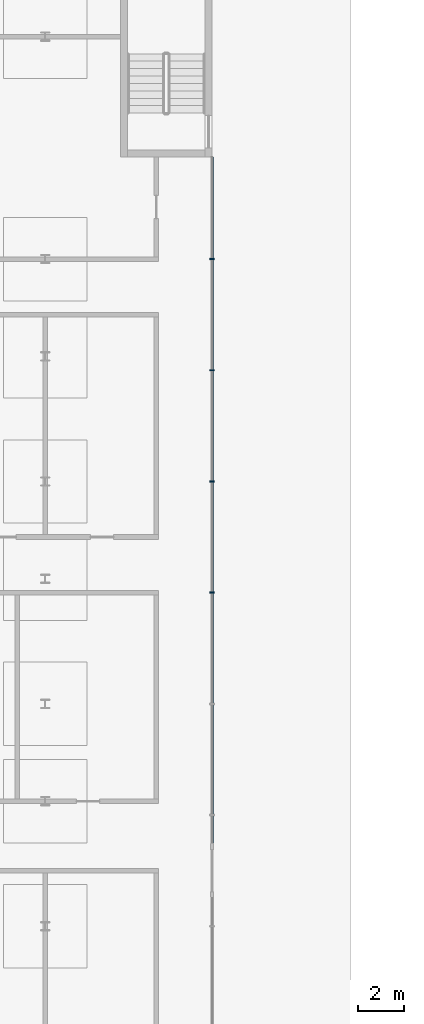
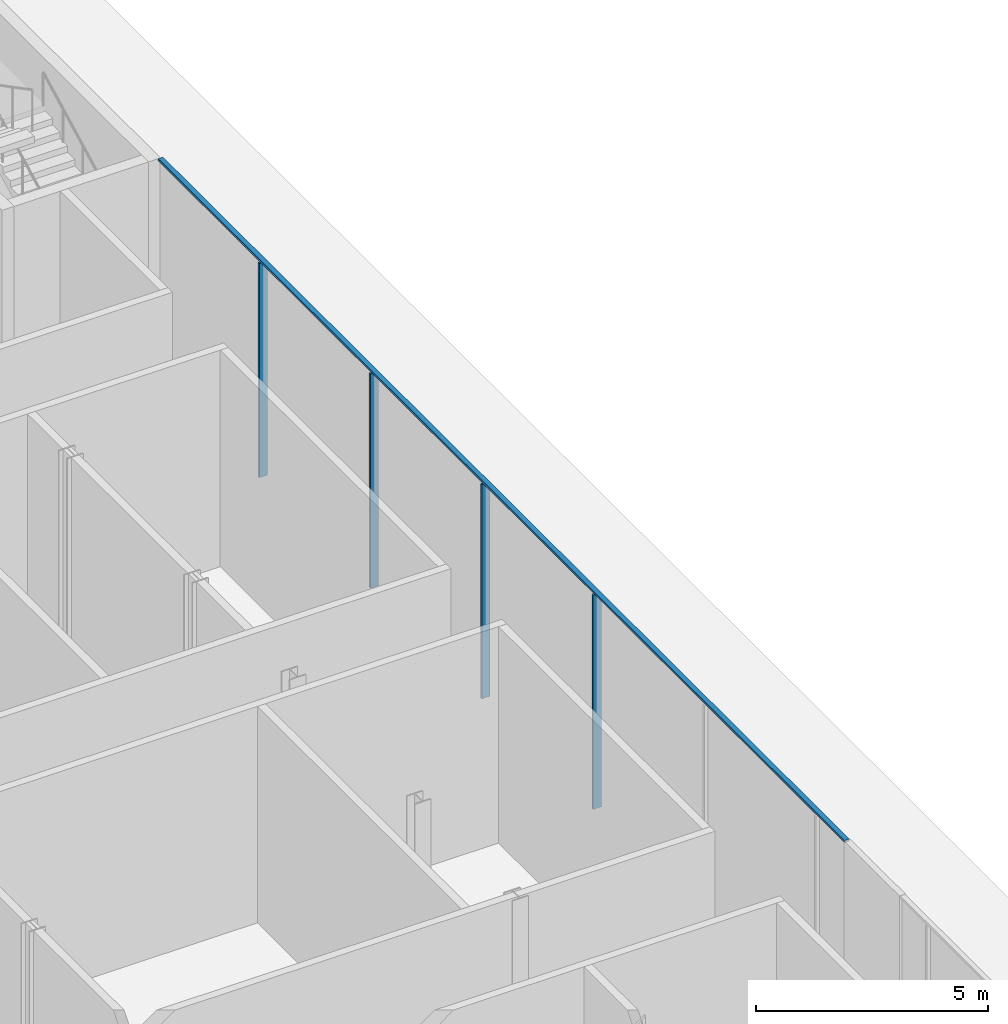
# One storey, part 12 of 44: 5 members, 1 element without a shape of its own.
"""IFC4 building model written with IfcOpenShell, lengths in metres."""

from ifc_helpers import new_model, si_unit, direction, frame, origin, origin_2d, place, context, subcontext, project, spatial, rectangle, extrude, material, layer, layer_set, material_profile, profile_set, type_object, element, aggregate, save


model = new_model("IFC4")

# Units and contexts
model_context = context("Model", 3, precision=1e-05, world=origin(), true_north=direction((0.0, 1.0)))
body_context = subcontext(model_context, "Body", "Model", "MODEL_VIEW")
ifc_project = project(units=[si_unit("LENGTHUNIT", "METRE"), si_unit("AREAUNIT", "SQUARE_METRE"), si_unit("VOLUMEUNIT", "CUBIC_METRE"), si_unit("PLANEANGLEUNIT", "RADIAN"), si_unit("MASSUNIT", "GRAM", prefix="KILO")], contexts=[model_context])

# Site, building, storey
site_placement = place(None, origin())
site = spatial("IfcSite", under=ifc_project, at=site_placement, CompositionType="ELEMENT")
building_placement = place(site_placement, origin())
building = spatial("IfcBuilding", under=site, at=building_placement, Name="Madar Terraces", CompositionType="ELEMENT")
storey_placement = place(building_placement, origin())
storey = spatial("IfcBuildingStorey", under=building, at=storey_placement, Name="L00", CompositionType="ELEMENT", Elevation=0.0)

# Curtain wall, members
ifc_material_1 = material(Name="Glass, clear low-iron, with black aluminium frame", Category="aluminium")
ifc_layer = layer(ifc_material_1, 0.199951171875)
ifc_layer_set = layer_set([ifc_layer], Name="Facade curtain wall, shopfront glazing")
curtain_wall_type = type_object("IfcCurtainWallType", Name="Facade curtain wall, shopfront glazing", PredefinedType="NOTDEFINED", material=ifc_layer_set)
curtain_wall_placement = place(storey_placement, origin())
curtain_wall = element("IfcCurtainWall", 1, at=curtain_wall_placement, inside=storey, type_object=curtain_wall_type, Name="Outer skin curtain wall east bay 1", PredefinedType="NOTDEFINED")
ifc_material_2 = material(Name="Aluminium, black anodised", Category="aluminium")
ifc_material_profile_1 = material_profile(ifc_material_2, rectangle(XDim=0.199951171875, YDim=0.06005859375, at=origin_2d()), Name="Facade mullion 60x200")
ifc_profile_set_1 = profile_set([ifc_material_profile_1], Name="Aluminium, black anodised")
member_type_1 = type_object("IfcMemberType", Name="Facade mullion 60x200", PredefinedType="MULLION", material=ifc_profile_set_1)
member_1_placement = place(storey_placement, frame((69.60009765625, -14.39990234375, 0.0), z_axis=(0.0, 0.0, 1.0), x_axis=(-1.0, 0.0, 0.0)))
member_1 = element("IfcMember", 2, at=member_1_placement, type_object=member_type_1, Name="Mullion 7", PredefinedType="MULLION", context=body_context, shape_type="SweptSolid", body=[
    extrude(rectangle(XDim=0.199951171875, YDim=0.06005859375, at=origin_2d()), origin(), (0.0, 0.0, 1.0), 5.639892578125),
])
member_2_placement = place(storey_placement, frame((69.60009765625, -9.60009765625, 0.0), z_axis=(0.0, 0.0, 1.0), x_axis=(-1.0, 0.0, 0.0)))
member_2 = element("IfcMember", 3, at=member_2_placement, type_object=member_type_1, Name="Mullion 8", PredefinedType="MULLION", context=body_context, shape_type="SweptSolid", body=[
    extrude(rectangle(XDim=0.199951171875, YDim=0.06005859375, at=origin_2d()), origin(), (0.0, 0.0, 1.0), 5.639892578125),
])
member_3_placement = place(storey_placement, frame((69.60009765625, -4.800048828125, 0.0), z_axis=(0.0, 0.0, 1.0), x_axis=(-1.0, 0.0, 0.0)))
member_3 = element("IfcMember", 4, at=member_3_placement, type_object=member_type_1, Name="Mullion 9", PredefinedType="MULLION", context=body_context, shape_type="SweptSolid", body=[
    extrude(rectangle(XDim=0.199951171875, YDim=0.06005859375, at=origin_2d()), origin(), (0.0, 0.0, 1.0), 5.639892578125),
])
member_4_placement = place(storey_placement, frame((69.60009765625, 0.0, 0.0), z_axis=(0.0, 0.0, 1.0), x_axis=(-1.0, 0.0, 0.0)))
member_4 = element("IfcMember", 5, at=member_4_placement, type_object=member_type_1, Name="Mullion 10", PredefinedType="MULLION", context=body_context, shape_type="SweptSolid", body=[
    extrude(rectangle(XDim=0.199951171875, YDim=0.06005859375, at=origin_2d()), origin(), (0.0, 0.0, 1.0), 5.639892578125),
])
ifc_material_3 = material(Name="Aluminium, black anodised", Category="aluminium")
ifc_material_profile_2 = material_profile(ifc_material_3, rectangle(XDim=0.1201171875, YDim=0.06005859375, at=origin_2d()), Name="Facade transom 60x120")
ifc_profile_set_2 = profile_set([ifc_material_profile_2], Name="Aluminium, black anodised")
member_type_2 = type_object("IfcMemberType", Name="Facade transom 60x120", PredefinedType="USERDEFINED", material=ifc_profile_set_2)
member_5_placement = place(storey_placement, frame((69.60009765625, -25.199951171875, 5.669921875), z_axis=(0.0, 1.0, 0.0), x_axis=(-1.0, 0.0, 0.0)))
member_5 = element("IfcMember", 6, at=member_5_placement, type_object=member_type_2, Name="Transom 2", ObjectType="TRANSOM", PredefinedType="USERDEFINED", context=body_context, shape_type="SweptSolid", body=[
    extrude(rectangle(XDim=0.1201171875, YDim=0.06005859375, at=origin_2d()), origin(), (0.0, 0.0, 1.0), 29.599853515625),
])
aggregate(curtain_wall, [member_1, member_2, member_3, member_4, member_5])

save(model, "model.ifc")
